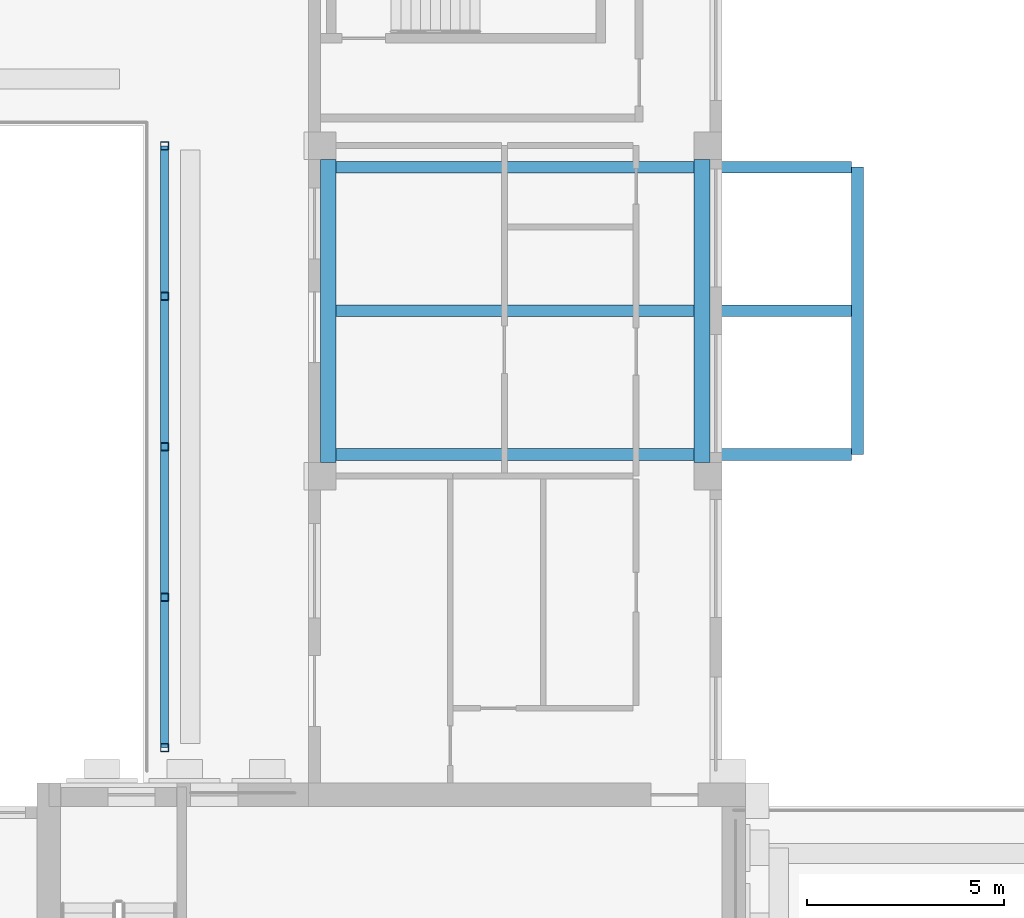
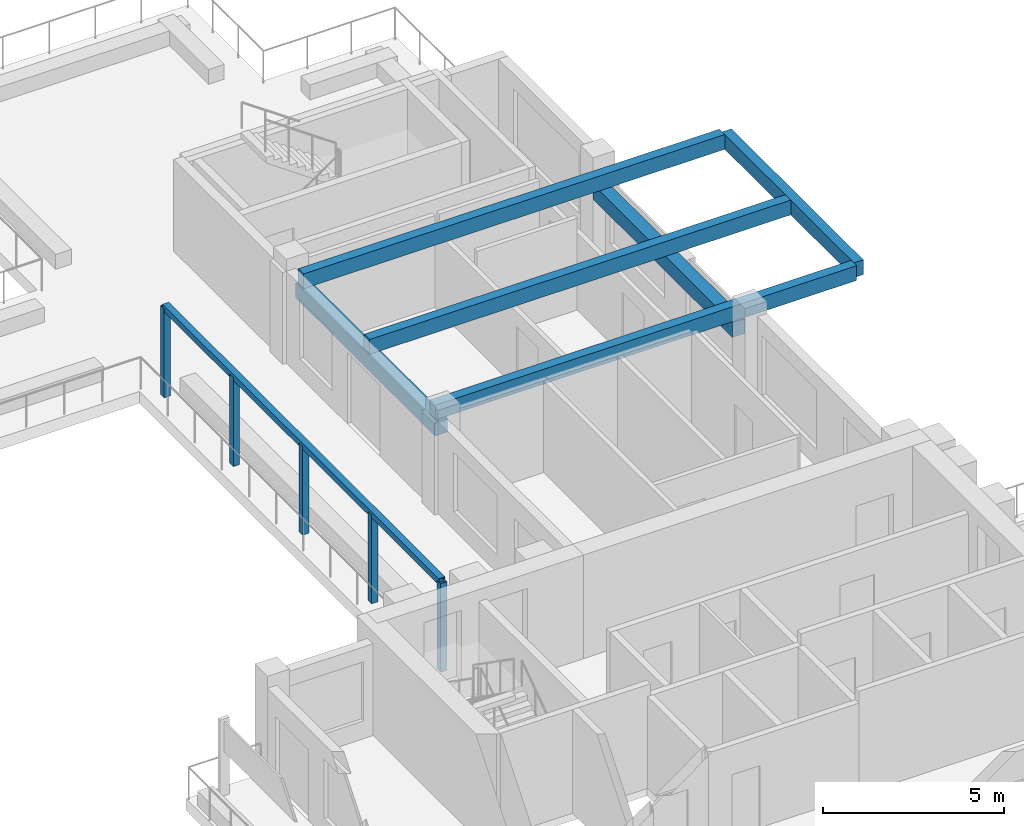
# One storey, part 2 of 12: 6 beams, 6 members.
"""IFC4 building model written with IfcOpenShell, lengths in metres."""

from ifc_helpers import new_model, si_unit, direction, frame, origin, origin_2d, place, context, subcontext, project, spatial, rectangle, hollow_rectangle, extrude, source, transform, mapped, material, material_profile, profile_set, type_object, element, save


model = new_model("IFC4")

# Units and contexts
model_context = context("Model", 3, precision=1e-05, world=origin(), true_north=direction((0.0, 1.0)))
body_context = subcontext(model_context, "Body", "Model", "MODEL_VIEW")
ifc_project = project(units=[si_unit("LENGTHUNIT", "METRE"), si_unit("AREAUNIT", "SQUARE_METRE"), si_unit("VOLUMEUNIT", "CUBIC_METRE"), si_unit("PLANEANGLEUNIT", "RADIAN"), si_unit("MASSUNIT", "GRAM", prefix="KILO")], contexts=[model_context])

# Site, building, storey
site_placement = place(None, origin())
site = spatial("IfcSite", under=ifc_project, at=site_placement, CompositionType="ELEMENT")
building_placement = place(site_placement, origin())
building = spatial("IfcBuilding", under=site, at=building_placement, Name="Aurelian Terraces", CompositionType="ELEMENT")
storey_placement = place(building_placement, frame((0.0, 0.0, 284.5)))
storey = spatial("IfcBuildingStorey", under=building, at=storey_placement, Name="L64", CompositionType="ELEMENT", Elevation=284.5)

# Beams
ifc_material_1 = material(Name="Concrete fc' 40 MPa", Category="concrete")
ifc_material_profile_1 = material_profile(ifc_material_1, rectangle(XDim=0.3, YDim=0.5, at=origin_2d()))
ifc_profile_set_1 = profile_set([ifc_material_profile_1], Name="Concrete fc' 40 MPa")
beam_type_1 = type_object("IfcBeamType", Name="CONCRETE CANTILEVER BEAM 300X500", PredefinedType="BEAM", material=ifc_profile_set_1)
beam_1_placement = place(storey_placement, frame((24.3, 29.95, 2.85), z_axis=(-1.0, 0.0, 0.0), x_axis=(0.0, -1.0, 0.0)))
element("IfcBeam", 1, at=beam_1_placement, inside=storey, type_object=beam_type_1, Name="Box cantilever beam J89.1", PredefinedType="BEAM", context=body_context, shape_type="SweptSolid", body=[
    extrude(rectangle(XDim=0.3, YDim=0.5, at=origin_2d()), origin(), (0.0, 0.0, 1.0), 13.45),
])
beam_2_placement = place(storey_placement, frame((24.45, 29.95, 2.85), z_axis=(0.0, 1.0, 0.0), x_axis=(-1.0, 0.0, 0.0)))
element("IfcBeam", 2, at=beam_2_placement, inside=storey, type_object=beam_type_1, Name="Box tip beam J89", PredefinedType="BEAM", context=body_context, shape_type="SweptSolid", body=[
    extrude(rectangle(XDim=0.3, YDim=0.5, at=origin_2d()), origin(), (0.0, 0.0, 1.0), 7.3),
])
ifc_material_profile_2 = material_profile(ifc_material_1, rectangle(XDim=0.4, YDim=0.5, at=origin_2d()))
ifc_profile_set_2 = profile_set([ifc_material_profile_2], Name="Concrete fc' 40 MPa")
beam_type_2 = type_object("IfcBeamType", Name="CONCRETE EDGE GIRDER 400X500", PredefinedType="BEAM", material=ifc_profile_set_2)
beam_3_placement = place(storey_placement, frame((20.5, 29.75, 2.35), z_axis=(0.0, 1.0, 0.0), x_axis=(-1.0, 0.0, 0.0)))
element("IfcBeam", 3, at=beam_3_placement, inside=storey, type_object=beam_type_2, Name="Box girder L64 O173", PredefinedType="BEAM", context=body_context, shape_type="SweptSolid", body=[
    extrude(rectangle(XDim=0.4, YDim=0.5, at=origin_2d()), origin(), (0.0, 0.0, 1.0), 7.7),
])

# Member
ifc_material_2 = material(Name="Steel ASTM A500 Gr C", Category="steel")
ifc_material_profile_3 = material_profile(ifc_material_2, hollow_rectangle(XDim=0.2032, YDim=0.2032, WallThickness=0.0089, at=origin_2d()))
ifc_profile_set_3 = profile_set([ifc_material_profile_3], Name="Steel ASTM A500 Gr C")
member_type_1 = type_object("IfcMemberType", Name="PERGOLA BEAM HSS8X8X3/8", PredefinedType="STRINGER", material=ifc_profile_set_3)
member_placement = place(storey_placement, frame((6.84, 22.5, 3.0), z_axis=(0.0, 1.0, 0.0), x_axis=(-1.0, 0.0, 0.0)))
element("IfcMember", 4, at=member_placement, inside=storey, type_object=member_type_1, Name="Pergola beam L64 L64-X2.1", PredefinedType="STRINGER", context=body_context, shape_type="SweptSolid", body=[
    extrude(hollow_rectangle(XDim=0.2032, YDim=0.2032, WallThickness=0.0089, at=origin_2d()), origin(), (0.0, 0.0, 1.0), 15.29),
])

# Beams
shared_shape_1 = source(origin(), body_context, "Body", "SweptSolid", [
    extrude(rectangle(XDim=0.4, YDim=0.5, at=origin_2d()), origin(), (0.0, 0.0, 1.0), 7.7),
])
beam_4_placement = place(storey_placement, frame((11.0, 29.75, 2.35), z_axis=(0.0, 1.0, 0.0), x_axis=(-1.0, 0.0, 0.0)))
element("IfcBeam", 5, at=beam_4_placement, inside=storey, type_object=beam_type_2, Name="Box girder L64 I174", PredefinedType="BEAM", context=body_context, shape_type="MappedRepresentation", body=[
    mapped(shared_shape_1, transform((0.0, 0.0, 0.0), scale=1.0)),
])
shared_shape_2 = source(origin(), body_context, "Body", "SweptSolid", [
    extrude(rectangle(XDim=0.3, YDim=0.5, at=origin_2d()), origin(), (0.0, 0.0, 1.0), 13.45),
])
for number, where, z_axis, x_axis, name in (
    (6, (24.3, 37.25, 2.85), (-1.0, 0.0, 0.0), (0.0, -1.0, 0.0), "Box cantilever beam J89.2"),
    (7, (24.3, 33.6, 2.85), (-1.0, 0.0, 0.0), (0.0, -1.0, 0.0), "Box cantilever beam J89.m1"),
):
    element("IfcBeam", number, at=place(storey_placement, frame(where, z_axis=z_axis, x_axis=x_axis)), inside=storey, type_object=beam_type_1, Name=name, PredefinedType="BEAM", context=body_context, shape_type="MappedRepresentation", body=[
        mapped(shared_shape_2, transform((0.0, 0.0, 0.0), scale=1.0)),
    ])

# Members
ifc_material_profile_4 = material_profile(ifc_material_2, hollow_rectangle(XDim=0.2032, YDim=0.2032, WallThickness=0.0089, at=origin_2d()))
ifc_profile_set_4 = profile_set([ifc_material_profile_4], Name="Steel ASTM A500 Gr C")
member_type_2 = type_object("IfcMemberType", Name="PERGOLA POST HSS8X8X3/8", PredefinedType="POST", material=ifc_profile_set_4)
shared_shape_3 = source(origin(), body_context, "Body", "SweptSolid", [
    extrude(hollow_rectangle(XDim=0.2032, YDim=0.2032, WallThickness=0.0089, at=origin_2d()), origin(), (0.0, 0.0, 1.0), 3.0),
])
for number, where, z_axis, x_axis, name in (
    (8, (6.84, 22.5, 0.0), (0.0, 0.0, 1.0), (1.0, 0.0, 0.0), "Pergola post L64 L64-X2.1.1"),
    (9, (6.84, 26.3225, 0.0), (0.0, 0.0, 1.0), (1.0, 0.0, 0.0), "Pergola post L64 L64-X2.1.2"),
    (10, (6.84, 30.145, 0.0), (0.0, 0.0, 1.0), (1.0, 0.0, 0.0), "Pergola post L64 L64-X2.1.3"),
    (11, (6.84, 33.9675, 0.0), (0.0, 0.0, 1.0), (1.0, 0.0, 0.0), "Pergola post L64 L64-X2.1.4"),
    (12, (6.84, 37.79, 0.0), (0.0, 0.0, 1.0), (1.0, 0.0, 0.0), "Pergola post L64 L64-X2.1.5"),
):
    element("IfcMember", number, at=place(storey_placement, frame(where, z_axis=z_axis, x_axis=x_axis)), inside=storey, type_object=member_type_2, Name=name, PredefinedType="POST", context=body_context, shape_type="MappedRepresentation", body=[
        mapped(shared_shape_3, transform((0.0, 0.0, 0.0), scale=1.0)),
    ])

save(model, "model.ifc")
